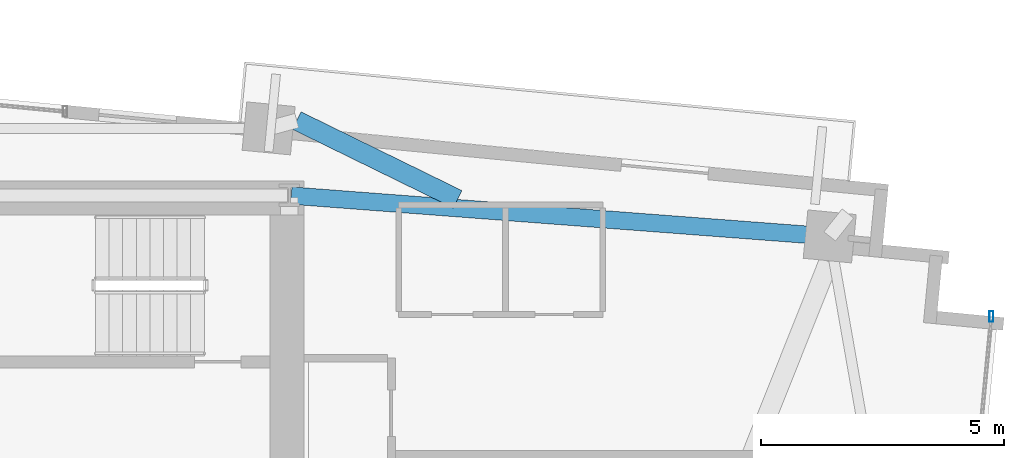
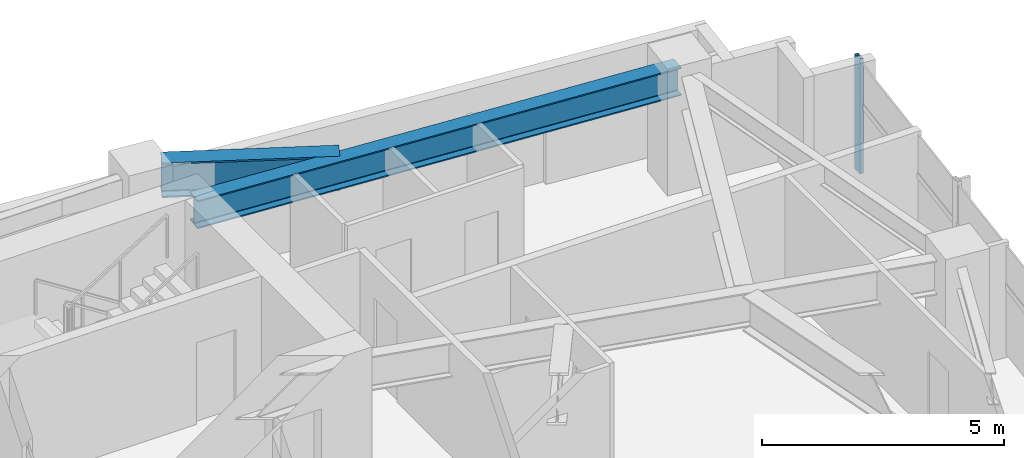
# One storey, part 13 of 20: 2 beams, 1 member, 1 element without a shape of its own.
"""IFC4 building model written with IfcOpenShell, lengths in metres."""

from ifc_helpers import new_model, si_unit, direction, frame, origin, origin_2d, place, context, subcontext, project, spatial, hollow_rectangle, i_section, extrude, source, transform, mapped, material, material_profile, profile_set, type_object, type_shapes, element, aggregate, save


model = new_model("IFC4")

# Units and contexts
model_context = context("Model", 3, precision=1e-05, world=origin(), true_north=direction((0.0, 1.0)))
body_context = subcontext(model_context, "Body", "Model", "MODEL_VIEW")
ifc_project = project(units=[si_unit("LENGTHUNIT", "METRE"), si_unit("AREAUNIT", "SQUARE_METRE"), si_unit("VOLUMEUNIT", "CUBIC_METRE"), si_unit("PLANEANGLEUNIT", "RADIAN"), si_unit("MASSUNIT", "GRAM", prefix="KILO")], contexts=[model_context])

# Site, building, storey
site_placement = place(None, origin())
site = spatial("IfcSite", under=ifc_project, at=site_placement, CompositionType="ELEMENT")
building_placement = place(site_placement, origin())
building = spatial("IfcBuilding", under=site, at=building_placement, Name="Astriad Promenade Condominiums", CompositionType="ELEMENT")
storey_placement = place(building_placement, frame((0.0, 0.0, 159.800048828125)))
storey = spatial("IfcBuildingStorey", under=building, at=storey_placement, Name="L46", CompositionType="ELEMENT", Elevation=159.800048828125)

# Beams
ifc_material_1 = material(Name="Steel ASTM A992 Grade 50", Category="steel")
ifc_material_profile_1 = material_profile(ifc_material_1, i_section(OverallWidth=0.35791015625, OverallDepth=0.706298828125, WebThickness=0.018310546875, FlangeThickness=0.0302734375, FilletRadius=0.020263671875, at=origin_2d()), Name="W27X178")
ifc_profile_set_1 = profile_set([ifc_material_profile_1], Name="Steel ASTM A992 Grade 50")
beam_type_1 = type_object("IfcBeamType", Name="STEEL FLOOR GIRDER W27X178", PredefinedType="BEAM", material=ifc_profile_set_1)
shared_shape_1 = source(origin(), body_context, "Body", "SweptSolid", [
    extrude(i_section(OverallWidth=0.35791015625, OverallDepth=0.706298828125, WebThickness=0.018310546875, FlangeThickness=0.0302734375, FilletRadius=0.020263671875, at=origin_2d()), origin(), (0.0, 0.0, 1.0), 11.0712890625),
])
type_shapes(beam_type_1, [shared_shape_1])
beam_1_placement = place(storey_placement, frame((56.679443359375, 23.15966796875, 2.546630859375), z_axis=(-0.997135384808, 0.075637453445, 0.0), x_axis=(-0.075637453445, -0.997135384808, 0.0)))
element("IfcBeam", 1, at=beam_1_placement, inside=storey, type_object=beam_type_1, Name="Primary Floor Girder PG-NE-L46", PredefinedType="BEAM", context=body_context, shape_type="MappedRepresentation", body=[
    mapped(shared_shape_1, transform((0.0, 0.0, 0.0), scale=1.0)),
])
ifc_material_profile_2 = material_profile(ifc_material_1, i_section(OverallWidth=0.4013671875, OverallDepth=0.877197265625, WebThickness=0.022216796875, FlangeThickness=0.039794921875, FilletRadius=0.02294921875, at=origin_2d()), Name="W33X263")
ifc_profile_set_2 = profile_set([ifc_material_profile_2], Name="Steel ASTM A992 Grade 50")
beam_type_2 = type_object("IfcBeamType", Name="STEEL TRANSFER CARRIER GIRDER W33X263", PredefinedType="BEAM", material=ifc_profile_set_2)
shared_shape_2 = source(origin(), body_context, "Body", "SweptSolid", [
    extrude(i_section(OverallWidth=0.4013671875, OverallDepth=0.877197265625, WebThickness=0.022216796875, FlangeThickness=0.039794921875, FilletRadius=0.02294921875, at=origin_2d()), origin(), (0.0, 0.0, 1.0), 3.68408203125),
])
type_shapes(beam_type_2, [shared_shape_2])
beam_2_placement = place(storey_placement, frame((49.061279296875, 23.920654296875, 2.46142578125), z_axis=(-0.898146568843, 0.439696191564, 0.0), x_axis=(-0.439696191564, -0.898146568843, 0.0)))
element("IfcBeam", 2, at=beam_2_placement, inside=storey, type_object=beam_type_2, Name="Transfer Splice Carrier TRM-SP-PC09-L46", PredefinedType="BEAM", context=body_context, shape_type="MappedRepresentation", body=[
    mapped(shared_shape_2, transform((0.0, 0.0, 0.0), scale=1.0)),
])

# Curtain wall, member
ifc_material_2 = material(Name="Anodised aluminium Black Dark Glass Unitised", Category="aluminium")
curtain_wall_type = type_object("IfcCurtainWallType", Name="CW-B34-DARK", PredefinedType="USERDEFINED", material=ifc_material_2)
curtain_wall_placement = place(storey_placement, origin())
curtain_wall = element("IfcCurtainWall", 3, at=curtain_wall_placement, inside=storey, type_object=curtain_wall_type, Name="CW-L46-E", ObjectType="UNITISED_CURTAIN_WALL", PredefinedType="USERDEFINED")
ifc_material_3 = material(Name="Anodised aluminium 6063-T6 Black", Category="aluminium")
ifc_material_profile_3 = material_profile(ifc_material_3, hollow_rectangle(XDim=0.0849609375, YDim=0.219970703125, WallThickness=0.0048828125, at=origin_2d()), Name="ALU-MUL-85X220")
ifc_profile_set_3 = profile_set([ifc_material_profile_3], Name="Anodised aluminium 6063-T6 Black")
member_type = type_object("IfcMemberType", Name="MUL-ALU-MUL-85X220", PredefinedType="MULLION", material=ifc_profile_set_3)
shared_shape_3 = source(origin(), body_context, "Body", "SweptSolid", [
    extrude(hollow_rectangle(XDim=0.0849609375, YDim=0.219970703125, WallThickness=0.0048828125, at=origin_2d()), origin(), (0.0, 0.0, 1.0), 2.89990234375),
])
type_shapes(member_type, [shared_shape_3])
member_placement = place(storey_placement, frame((60.046875, 21.51025390625, 0.0), z_axis=(0.0, 0.0, 1.0), x_axis=(1.0, 0.0, 0.0)))
member = element("IfcMember", 4, at=member_placement, type_object=member_type, Name="CW-L46-E-MUL-00", PredefinedType="MULLION", context=body_context, shape_type="MappedRepresentation", body=[
    mapped(shared_shape_3, transform((0.0, 0.0, 0.0), scale=1.0)),
])
aggregate(curtain_wall, [member])

save(model, "model.ifc")
